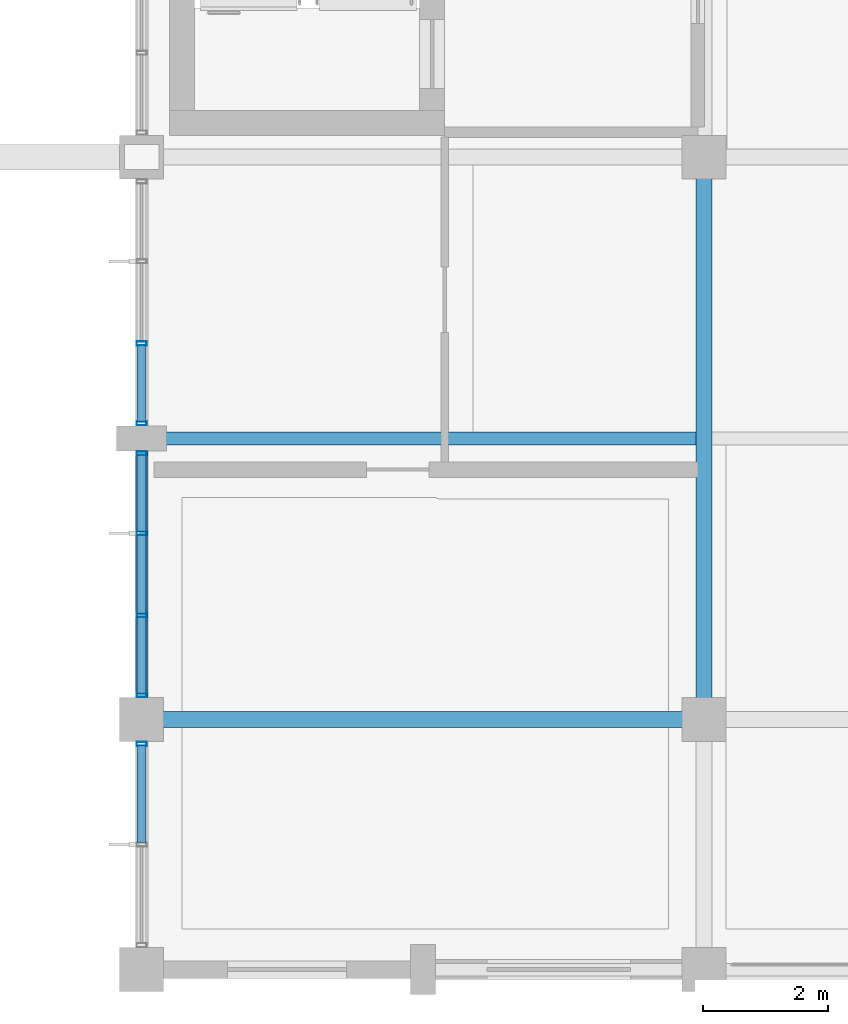
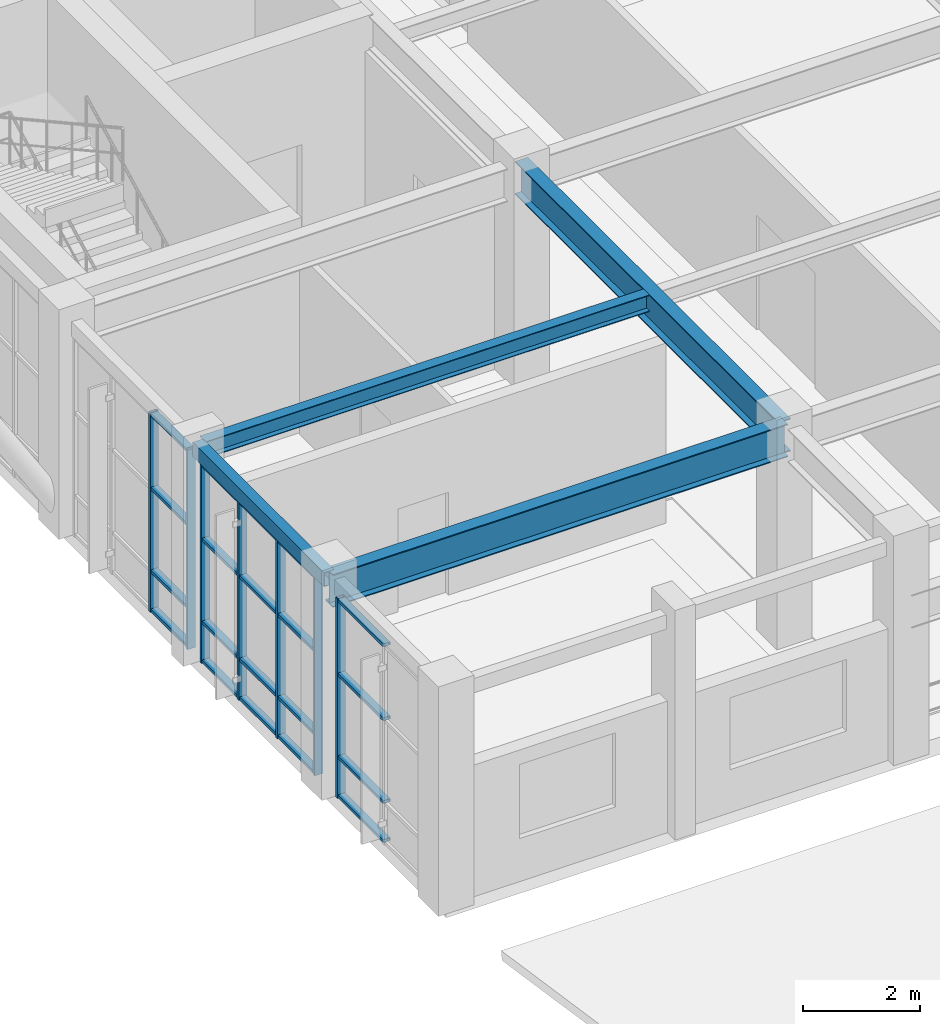
# One storey, part 22 of 104: 27 members, 4 beams, 3 elements without a shape of their own.
"""IFC4 building model written with IfcOpenShell, lengths in metres."""

from ifc_helpers import new_model, si_unit, direction, frame, origin, origin_2d, place, context, subcontext, project, spatial, hollow_rectangle, i_section, extrude, material, layer, layer_set, material_profile, profile_set, type_object, element, aggregate, save


model = new_model("IFC4")

# Units and contexts
model_context = context("Model", 3, precision=1e-05, world=origin(), true_north=direction((0.0, 1.0)))
body_context = subcontext(model_context, "Body", "Model", "MODEL_VIEW")
ifc_project = project(units=[si_unit("LENGTHUNIT", "METRE"), si_unit("AREAUNIT", "SQUARE_METRE"), si_unit("VOLUMEUNIT", "CUBIC_METRE"), si_unit("PLANEANGLEUNIT", "RADIAN"), si_unit("MASSUNIT", "GRAM", prefix="KILO")], contexts=[model_context])

# Site, building, storey
site_placement = place(None, origin())
site = spatial("IfcSite", under=ifc_project, at=site_placement, CompositionType="ELEMENT")
building_placement = place(site_placement, origin())
building = spatial("IfcBuilding", under=site, at=building_placement, Name="Ventoquebrada Cableway Terminal", CompositionType="ELEMENT")
storey_placement = place(building_placement, frame((0.0, 0.0, 4.800048828125)))
storey = spatial("IfcBuildingStorey", under=building, at=storey_placement, Name="L01", CompositionType="ELEMENT", Elevation=4.800048828125)

# Beams
ifc_material_1 = material(Name="Steel ASTM A992 Grade 50", Category="steel")
ifc_material_profile_1 = material_profile(ifc_material_1, i_section(OverallWidth=0.25390625, OverallDepth=0.68798828125, WebThickness=0.01318359375, FlangeThickness=0.02099609375, at=origin_2d()), Name="W27X102")
ifc_profile_set_1 = profile_set([ifc_material_profile_1], Name="Steel ASTM A992 Grade 50")
beam_type_1 = type_object("IfcBeamType", Name="BM-ST04", PredefinedType="BEAM", material=ifc_profile_set_1)
for number, where, z_axis, x_axis, name in (
    (1, (8.199951171875, 68.0, 4.120849609375), (1.0, 0.0, 0.0), (0.0, 1.0, 0.0), "Primary frame girder FBM-0383"),
    (2, (17.199951171875, 68.0, 4.120849609375), (0.0, 1.0, 0.0), (-1.0, 0.0, 0.0), "Primary frame girder FBM-0416"),
):
    element("IfcBeam", number, at=place(storey_placement, frame(where, z_axis=z_axis, x_axis=x_axis)), inside=storey, type_object=beam_type_1, Name=name, PredefinedType="BEAM", context=body_context, shape_type="SweptSolid", body=[
        extrude(i_section(OverallWidth=0.25390625, OverallDepth=0.68798828125, WebThickness=0.01318359375, FlangeThickness=0.02099609375, at=origin_2d()), origin(), (0.0, 0.0, 1.0), 9.0),
    ])

# Curtain wall, member
ifc_material_2 = material(Name="Anodized thermally-broken aluminium", Category="aluminium")
ifc_layer_1 = layer(ifc_material_2, 0.159912109375)
ifc_layer_set_1 = layer_set([ifc_layer_1], Name="Anodized thermally-broken aluminium")
curtain_wall_type_1 = type_object("IfcCurtainWallType", Name="CW-T16", PredefinedType="USERDEFINED", material=ifc_layer_set_1)
curtain_wall_1_placement = place(storey_placement, origin())
curtain_wall_1 = element("IfcCurtainWall", 3, at=curtain_wall_1_placement, inside=storey, type_object=curtain_wall_type_1, Name="Unitised glazed curtain wall CW-033", ObjectType="UNITISED CURTAIN WALL", PredefinedType="USERDEFINED")
ifc_material_profile_2 = material_profile(ifc_material_2, hollow_rectangle(XDim=0.06494140625, YDim=0.159912109375, WallThickness=0.00390625, at=origin_2d()), Name="CW-MUL-65X160")
ifc_profile_set_2 = profile_set([ifc_material_profile_2], Name="Anodized thermally-broken aluminium")
member_type_1 = type_object("IfcMemberType", Name="CWM-01", PredefinedType="MULLION", material=ifc_profile_set_2)
member_1_placement = place(storey_placement, frame((8.199951171875, 67.610107421875, -0.008056640625), z_axis=(0.0, 0.0, 1.0), x_axis=(0.0, -1.0, 0.0)))
member_1 = element("IfcMember", 4, at=member_1_placement, type_object=member_type_1, Name="Curtain wall mullion FML-0151", PredefinedType="MULLION", context=body_context, shape_type="SweptSolid", body=[
    extrude(hollow_rectangle(XDim=0.06494140625, YDim=0.159912109375, WallThickness=0.00390625, at=origin_2d()), origin(), (0.0, 0.0, 1.0), 4.173095703125),
])

# Curtain wall, members
ifc_layer_2 = layer(ifc_material_2, 0.159912109375)
ifc_layer_set_2 = layer_set([ifc_layer_2], Name="Anodized thermally-broken aluminium")
curtain_wall_type_2 = type_object("IfcCurtainWallType", Name="CW-T17", PredefinedType="USERDEFINED", material=ifc_layer_set_2)
curtain_wall_2_placement = place(storey_placement, origin())
curtain_wall_2 = element("IfcCurtainWall", 5, at=curtain_wall_2_placement, inside=storey, type_object=curtain_wall_type_2, Name="Unitised glazed curtain wall CW-034", ObjectType="UNITISED CURTAIN WALL", PredefinedType="USERDEFINED")
member_2_placement = place(storey_placement, frame((8.199951171875, 74.01806640625, -0.008056640625), z_axis=(0.0, 0.0, 1.0), x_axis=(0.0, -1.0, 0.0)))
member_2 = element("IfcMember", 6, at=member_2_placement, type_object=member_type_1, Name="Curtain wall mullion FML-0156", PredefinedType="MULLION", context=body_context, shape_type="SweptSolid", body=[
    extrude(hollow_rectangle(XDim=0.06494140625, YDim=0.159912109375, WallThickness=0.00390625, at=origin_2d()), origin(), (0.0, 0.0, 1.0), 4.173095703125),
])
member_3_placement = place(storey_placement, frame((8.199951171875, 72.739990234375, -0.008056640625), z_axis=(0.0, 0.0, 1.0), x_axis=(0.0, -1.0, 0.0)))
member_3 = element("IfcMember", 7, at=member_3_placement, type_object=member_type_1, Name="Curtain wall mullion FML-0157", PredefinedType="MULLION", context=body_context, shape_type="SweptSolid", body=[
    extrude(hollow_rectangle(XDim=0.06494140625, YDim=0.159912109375, WallThickness=0.00390625, at=origin_2d()), origin(), (0.0, 0.0, 1.0), 4.173095703125),
])

curtain_wall_3_placement = place(storey_placement, origin())
curtain_wall_3 = element("IfcCurtainWall", 8, at=curtain_wall_3_placement, inside=storey, type_object=curtain_wall_type_2, Name="Unitised glazed curtain wall CW-035", ObjectType="UNITISED CURTAIN WALL", PredefinedType="USERDEFINED")
member_4_placement = place(storey_placement, frame((8.199951171875, 72.260009765625, -0.008056640625), z_axis=(0.0, 0.0, 1.0), x_axis=(0.0, -1.0, 0.0)))
member_4 = element("IfcMember", 9, at=member_4_placement, type_object=member_type_1, Name="Curtain wall mullion FML-0158", PredefinedType="MULLION", context=body_context, shape_type="SweptSolid", body=[
    extrude(hollow_rectangle(XDim=0.06494140625, YDim=0.159912109375, WallThickness=0.00390625, at=origin_2d()), origin(), (0.0, 0.0, 1.0), 4.173095703125),
])
member_5_placement = place(storey_placement, frame((8.199951171875, 70.98193359375, -0.008056640625), z_axis=(0.0, 0.0, 1.0), x_axis=(0.0, -1.0, 0.0)))
member_5 = element("IfcMember", 10, at=member_5_placement, type_object=member_type_1, Name="Curtain wall mullion FML-0159", PredefinedType="MULLION", context=body_context, shape_type="SweptSolid", body=[
    extrude(hollow_rectangle(XDim=0.06494140625, YDim=0.159912109375, WallThickness=0.00390625, at=origin_2d()), origin(), (0.0, 0.0, 1.0), 4.173095703125),
])
member_6_placement = place(storey_placement, frame((8.199951171875, 69.66796875, -0.008056640625), z_axis=(0.0, 0.0, 1.0), x_axis=(0.0, -1.0, 0.0)))
member_6 = element("IfcMember", 11, at=member_6_placement, type_object=member_type_1, Name="Curtain wall mullion FML-0160", PredefinedType="MULLION", context=body_context, shape_type="SweptSolid", body=[
    extrude(hollow_rectangle(XDim=0.06494140625, YDim=0.159912109375, WallThickness=0.00390625, at=origin_2d()), origin(), (0.0, 0.0, 1.0), 4.173095703125),
])
member_7_placement = place(storey_placement, frame((8.199951171875, 68.389892578125, -0.008056640625), z_axis=(0.0, 0.0, 1.0), x_axis=(0.0, -1.0, 0.0)))
member_7 = element("IfcMember", 12, at=member_7_placement, type_object=member_type_1, Name="Curtain wall mullion FML-0161", PredefinedType="MULLION", context=body_context, shape_type="SweptSolid", body=[
    extrude(hollow_rectangle(XDim=0.06494140625, YDim=0.159912109375, WallThickness=0.00390625, at=origin_2d()), origin(), (0.0, 0.0, 1.0), 4.173095703125),
])

# Member
ifc_material_profile_3 = material_profile(ifc_material_2, hollow_rectangle(XDim=0.06494140625, YDim=0.139892578125, WallThickness=0.00390625, at=origin_2d()), Name="CW-TRN-65X140")
ifc_profile_set_3 = profile_set([ifc_material_profile_3], Name="Anodized thermally-broken aluminium")
member_type_2 = type_object("IfcMemberType", Name="CWT-01", PredefinedType="USERDEFINED", material=ifc_profile_set_3)
member_8_placement = place(storey_placement, frame((8.199951171875, 67.58203125, 0.034912109375), z_axis=(0.0, -1.0, 0.0), x_axis=(0.0, 0.0, 1.0)))
member_8 = element("IfcMember", 13, at=member_8_placement, type_object=member_type_2, Name="Curtain wall transom FTR-0451", ObjectType="TRANSOM", PredefinedType="USERDEFINED", context=body_context, shape_type="SweptSolid", body=[
    extrude(hollow_rectangle(XDim=0.06494140625, YDim=0.139892578125, WallThickness=0.00390625, at=origin_2d()), origin(), (0.0, 0.0, 1.0), 1.553955078125),
])

member_9_placement = place(storey_placement, frame((8.199951171875, 67.58203125, 0.849853515625), z_axis=(0.0, -1.0, 0.0), x_axis=(0.0, 0.0, 1.0)))
member_9 = element("IfcMember", 14, at=member_9_placement, type_object=member_type_2, Name="Curtain wall transom FTR-0452", ObjectType="TRANSOM", PredefinedType="USERDEFINED", context=body_context, shape_type="SweptSolid", body=[
    extrude(hollow_rectangle(XDim=0.06494140625, YDim=0.139892578125, WallThickness=0.00390625, at=origin_2d()), origin(), (0.0, 0.0, 1.0), 1.553955078125),
])

member_10_placement = place(storey_placement, frame((8.199951171875, 67.58203125, 2.578857421875), z_axis=(0.0, -1.0, 0.0), x_axis=(0.0, 0.0, 1.0)))
member_10 = element("IfcMember", 15, at=member_10_placement, type_object=member_type_2, Name="Curtain wall transom FTR-0453", ObjectType="TRANSOM", PredefinedType="USERDEFINED", context=body_context, shape_type="SweptSolid", body=[
    extrude(hollow_rectangle(XDim=0.06494140625, YDim=0.139892578125, WallThickness=0.00390625, at=origin_2d()), origin(), (0.0, 0.0, 1.0), 1.553955078125),
])

member_11_placement = place(storey_placement, frame((8.199951171875, 67.58203125, 4.125), z_axis=(0.0, -1.0, 0.0), x_axis=(0.0, 0.0, 1.0)))
member_11 = element("IfcMember", 16, at=member_11_placement, type_object=member_type_2, Name="Curtain wall transom FTR-0454", ObjectType="TRANSOM", PredefinedType="USERDEFINED", context=body_context, shape_type="SweptSolid", body=[
    extrude(hollow_rectangle(XDim=0.06494140625, YDim=0.139892578125, WallThickness=0.00390625, at=origin_2d()), origin(), (0.0, 0.0, 1.0), 1.553955078125),
])

aggregate(curtain_wall_1, [member_1, member_8, member_9, member_10, member_11])

member_12_placement = place(storey_placement, frame((8.199951171875, 73.990966796875, 0.034912109375), z_axis=(0.0, -1.0, 0.0), x_axis=(0.0, 0.0, 1.0)))
member_12 = element("IfcMember", 17, at=member_12_placement, type_object=member_type_2, Name="Curtain wall transom FTR-0467", ObjectType="TRANSOM", PredefinedType="USERDEFINED", context=body_context, shape_type="SweptSolid", body=[
    extrude(hollow_rectangle(XDim=0.06494140625, YDim=0.139892578125, WallThickness=0.00390625, at=origin_2d()), origin(), (0.0, 0.0, 1.0), 1.223876953125),
])

member_13_placement = place(storey_placement, frame((8.199951171875, 73.990966796875, 0.849853515625), z_axis=(0.0, -1.0, 0.0), x_axis=(0.0, 0.0, 1.0)))
member_13 = element("IfcMember", 18, at=member_13_placement, type_object=member_type_2, Name="Curtain wall transom FTR-0468", ObjectType="TRANSOM", PredefinedType="USERDEFINED", context=body_context, shape_type="SweptSolid", body=[
    extrude(hollow_rectangle(XDim=0.06494140625, YDim=0.139892578125, WallThickness=0.00390625, at=origin_2d()), origin(), (0.0, 0.0, 1.0), 1.223876953125),
])

member_14_placement = place(storey_placement, frame((8.199951171875, 73.990966796875, 2.578857421875), z_axis=(0.0, -1.0, 0.0), x_axis=(0.0, 0.0, 1.0)))
member_14 = element("IfcMember", 19, at=member_14_placement, type_object=member_type_2, Name="Curtain wall transom FTR-0469", ObjectType="TRANSOM", PredefinedType="USERDEFINED", context=body_context, shape_type="SweptSolid", body=[
    extrude(hollow_rectangle(XDim=0.06494140625, YDim=0.139892578125, WallThickness=0.00390625, at=origin_2d()), origin(), (0.0, 0.0, 1.0), 1.223876953125),
])

member_15_placement = place(storey_placement, frame((8.199951171875, 73.990966796875, 4.125), z_axis=(0.0, -1.0, 0.0), x_axis=(0.0, 0.0, 1.0)))
member_15 = element("IfcMember", 20, at=member_15_placement, type_object=member_type_2, Name="Curtain wall transom FTR-0470", ObjectType="TRANSOM", PredefinedType="USERDEFINED", context=body_context, shape_type="SweptSolid", body=[
    extrude(hollow_rectangle(XDim=0.06494140625, YDim=0.139892578125, WallThickness=0.00390625, at=origin_2d()), origin(), (0.0, 0.0, 1.0), 1.223876953125),
])

aggregate(curtain_wall_2, [member_2, member_3, member_12, member_13, member_14, member_15])

member_16_placement = place(storey_placement, frame((8.199951171875, 72.23291015625, 0.034912109375), z_axis=(0.0, -1.0, 0.0), x_axis=(0.0, 0.0, 1.0)))
member_16 = element("IfcMember", 21, at=member_16_placement, type_object=member_type_2, Name="Curtain wall transom FTR-0471", ObjectType="TRANSOM", PredefinedType="USERDEFINED", context=body_context, shape_type="SweptSolid", body=[
    extrude(hollow_rectangle(XDim=0.06494140625, YDim=0.139892578125, WallThickness=0.00390625, at=origin_2d()), origin(), (0.0, 0.0, 1.0), 1.223876953125),
])

member_17_placement = place(storey_placement, frame((8.199951171875, 72.23291015625, 0.849853515625), z_axis=(0.0, -1.0, 0.0), x_axis=(0.0, 0.0, 1.0)))
member_17 = element("IfcMember", 22, at=member_17_placement, type_object=member_type_2, Name="Curtain wall transom FTR-0472", ObjectType="TRANSOM", PredefinedType="USERDEFINED", context=body_context, shape_type="SweptSolid", body=[
    extrude(hollow_rectangle(XDim=0.06494140625, YDim=0.139892578125, WallThickness=0.00390625, at=origin_2d()), origin(), (0.0, 0.0, 1.0), 1.223876953125),
])

member_18_placement = place(storey_placement, frame((8.199951171875, 72.23291015625, 2.578857421875), z_axis=(0.0, -1.0, 0.0), x_axis=(0.0, 0.0, 1.0)))
member_18 = element("IfcMember", 23, at=member_18_placement, type_object=member_type_2, Name="Curtain wall transom FTR-0473", ObjectType="TRANSOM", PredefinedType="USERDEFINED", context=body_context, shape_type="SweptSolid", body=[
    extrude(hollow_rectangle(XDim=0.06494140625, YDim=0.139892578125, WallThickness=0.00390625, at=origin_2d()), origin(), (0.0, 0.0, 1.0), 1.223876953125),
])

member_19_placement = place(storey_placement, frame((8.199951171875, 72.23291015625, 4.125), z_axis=(0.0, -1.0, 0.0), x_axis=(0.0, 0.0, 1.0)))
member_19 = element("IfcMember", 24, at=member_19_placement, type_object=member_type_2, Name="Curtain wall transom FTR-0474", ObjectType="TRANSOM", PredefinedType="USERDEFINED", context=body_context, shape_type="SweptSolid", body=[
    extrude(hollow_rectangle(XDim=0.06494140625, YDim=0.139892578125, WallThickness=0.00390625, at=origin_2d()), origin(), (0.0, 0.0, 1.0), 1.223876953125),
])

member_20_placement = place(storey_placement, frame((8.199951171875, 70.9541015625, 0.034912109375), z_axis=(0.0, -1.0, 0.0), x_axis=(0.0, 0.0, 1.0)))
member_20 = element("IfcMember", 25, at=member_20_placement, type_object=member_type_2, Name="Curtain wall transom FTR-0475", ObjectType="TRANSOM", PredefinedType="USERDEFINED", context=body_context, shape_type="SweptSolid", body=[
    extrude(hollow_rectangle(XDim=0.06494140625, YDim=0.139892578125, WallThickness=0.00390625, at=origin_2d()), origin(), (0.0, 0.0, 1.0), 1.258056640625),
])

member_21_placement = place(storey_placement, frame((8.199951171875, 70.9541015625, 0.849853515625), z_axis=(0.0, -1.0, 0.0), x_axis=(0.0, 0.0, 1.0)))
member_21 = element("IfcMember", 26, at=member_21_placement, type_object=member_type_2, Name="Curtain wall transom FTR-0476", ObjectType="TRANSOM", PredefinedType="USERDEFINED", context=body_context, shape_type="SweptSolid", body=[
    extrude(hollow_rectangle(XDim=0.06494140625, YDim=0.139892578125, WallThickness=0.00390625, at=origin_2d()), origin(), (0.0, 0.0, 1.0), 1.258056640625),
])

member_22_placement = place(storey_placement, frame((8.199951171875, 70.9541015625, 2.578857421875), z_axis=(0.0, -1.0, 0.0), x_axis=(0.0, 0.0, 1.0)))
member_22 = element("IfcMember", 27, at=member_22_placement, type_object=member_type_2, Name="Curtain wall transom FTR-0477", ObjectType="TRANSOM", PredefinedType="USERDEFINED", context=body_context, shape_type="SweptSolid", body=[
    extrude(hollow_rectangle(XDim=0.06494140625, YDim=0.139892578125, WallThickness=0.00390625, at=origin_2d()), origin(), (0.0, 0.0, 1.0), 1.258056640625),
])

member_23_placement = place(storey_placement, frame((8.199951171875, 70.9541015625, 4.125), z_axis=(0.0, -1.0, 0.0), x_axis=(0.0, 0.0, 1.0)))
member_23 = element("IfcMember", 28, at=member_23_placement, type_object=member_type_2, Name="Curtain wall transom FTR-0478", ObjectType="TRANSOM", PredefinedType="USERDEFINED", context=body_context, shape_type="SweptSolid", body=[
    extrude(hollow_rectangle(XDim=0.06494140625, YDim=0.139892578125, WallThickness=0.00390625, at=origin_2d()), origin(), (0.0, 0.0, 1.0), 1.258056640625),
])

member_24_placement = place(storey_placement, frame((8.199951171875, 69.64111328125, 0.034912109375), z_axis=(0.0, -1.0, 0.0), x_axis=(0.0, 0.0, 1.0)))
member_24 = element("IfcMember", 29, at=member_24_placement, type_object=member_type_2, Name="Curtain wall transom FTR-0479", ObjectType="TRANSOM", PredefinedType="USERDEFINED", context=body_context, shape_type="SweptSolid", body=[
    extrude(hollow_rectangle(XDim=0.06494140625, YDim=0.139892578125, WallThickness=0.00390625, at=origin_2d()), origin(), (0.0, 0.0, 1.0), 1.22314453125),
])

member_25_placement = place(storey_placement, frame((8.199951171875, 69.64111328125, 0.849853515625), z_axis=(0.0, -1.0, 0.0), x_axis=(0.0, 0.0, 1.0)))
member_25 = element("IfcMember", 30, at=member_25_placement, type_object=member_type_2, Name="Curtain wall transom FTR-0480", ObjectType="TRANSOM", PredefinedType="USERDEFINED", context=body_context, shape_type="SweptSolid", body=[
    extrude(hollow_rectangle(XDim=0.06494140625, YDim=0.139892578125, WallThickness=0.00390625, at=origin_2d()), origin(), (0.0, 0.0, 1.0), 1.22314453125),
])

member_26_placement = place(storey_placement, frame((8.199951171875, 69.64111328125, 2.578857421875), z_axis=(0.0, -1.0, 0.0), x_axis=(0.0, 0.0, 1.0)))
member_26 = element("IfcMember", 31, at=member_26_placement, type_object=member_type_2, Name="Curtain wall transom FTR-0481", ObjectType="TRANSOM", PredefinedType="USERDEFINED", context=body_context, shape_type="SweptSolid", body=[
    extrude(hollow_rectangle(XDim=0.06494140625, YDim=0.139892578125, WallThickness=0.00390625, at=origin_2d()), origin(), (0.0, 0.0, 1.0), 1.22314453125),
])

member_27_placement = place(storey_placement, frame((8.199951171875, 69.64111328125, 4.125), z_axis=(0.0, -1.0, 0.0), x_axis=(0.0, 0.0, 1.0)))
member_27 = element("IfcMember", 32, at=member_27_placement, type_object=member_type_2, Name="Curtain wall transom FTR-0482", ObjectType="TRANSOM", PredefinedType="USERDEFINED", context=body_context, shape_type="SweptSolid", body=[
    extrude(hollow_rectangle(XDim=0.06494140625, YDim=0.139892578125, WallThickness=0.00390625, at=origin_2d()), origin(), (0.0, 0.0, 1.0), 1.22314453125),
])

aggregate(curtain_wall_3, [member_4, member_5, member_6, member_7, member_16, member_17, member_18, member_19, member_20, member_21, member_22, member_23, member_24, member_25, member_26, member_27])

# Beams
ifc_material_profile_4 = material_profile(ifc_material_1, i_section(OverallWidth=0.2041015625, OverallDepth=0.35009765625, WebThickness=0.008544921875, FlangeThickness=0.01513671875, at=origin_2d()), Name="W14X48")
ifc_profile_set_4 = profile_set([ifc_material_profile_4], Name="Steel ASTM A992 Grade 50")
beam_type_2 = type_object("IfcBeamType", Name="JST-ST05", PredefinedType="JOIST", material=ifc_profile_set_4)
beam_1_placement = place(storey_placement, frame((8.300048828125, 72.5, 4.2900390625), z_axis=(1.0, 0.0, 0.0), x_axis=(0.0, 1.0, 0.0)))
element("IfcBeam", 33, at=beam_1_placement, inside=storey, type_object=beam_type_2, Name="Secondary floor joist JB-010", PredefinedType="JOIST", context=body_context, shape_type="SweptSolid", body=[
    extrude(i_section(OverallWidth=0.2041015625, OverallDepth=0.35009765625, WebThickness=0.008544921875, FlangeThickness=0.01513671875, at=origin_2d()), origin(), (0.0, 0.0, 1.0), 8.77294921875),
])
ifc_material_3 = material(Name="Steel ASTM A500 Grade C", Category="steel")
ifc_material_profile_5 = material_profile(ifc_material_3, hollow_rectangle(XDim=0.199951171875, YDim=0.300048828125, WallThickness=0.012451171875, at=origin_2d()), Name="RHS300X200X12.5")
ifc_profile_set_5 = profile_set([ifc_material_profile_5], Name="Steel ASTM A500 Grade C")
beam_type_3 = type_object("IfcBeamType", Name="SP-ST02", PredefinedType="SPANDREL", material=ifc_profile_set_5)
beam_2_placement = place(storey_placement, frame((8.199951171875, 68.0, 4.31494140625), z_axis=(0.0, 1.0, 0.0), x_axis=(-1.0, 0.0, 0.0)))
element("IfcBeam", 34, at=beam_2_placement, inside=storey, type_object=beam_type_3, Name="Perimeter spandrel beam FBM-0405", PredefinedType="SPANDREL", context=body_context, shape_type="SweptSolid", body=[
    extrude(hollow_rectangle(XDim=0.199951171875, YDim=0.300048828125, WallThickness=0.012451171875, at=origin_2d()), origin(), (0.0, 0.0, 1.0), 4.5),
])

save(model, "model.ifc")
